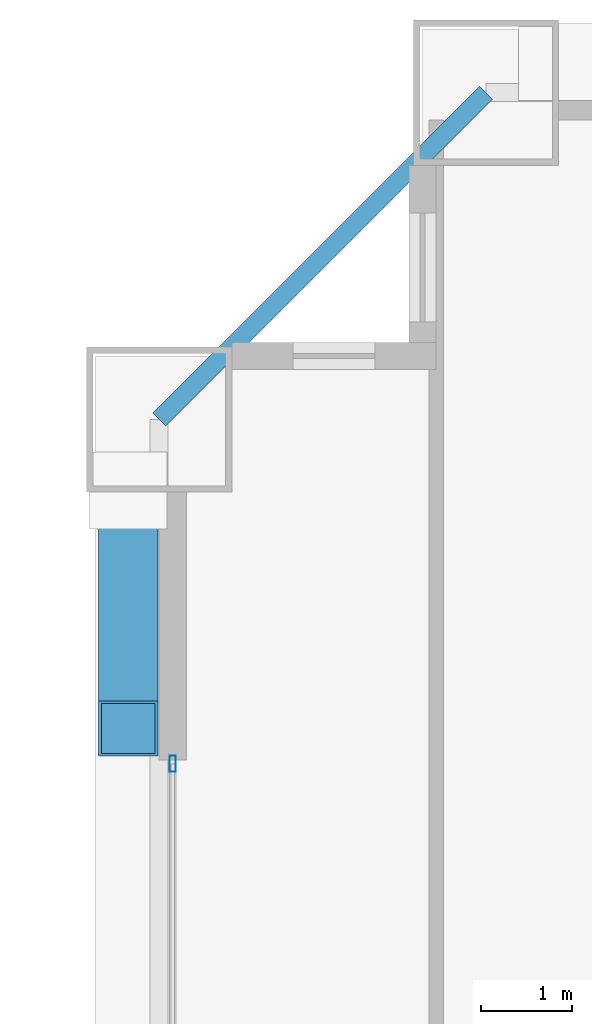
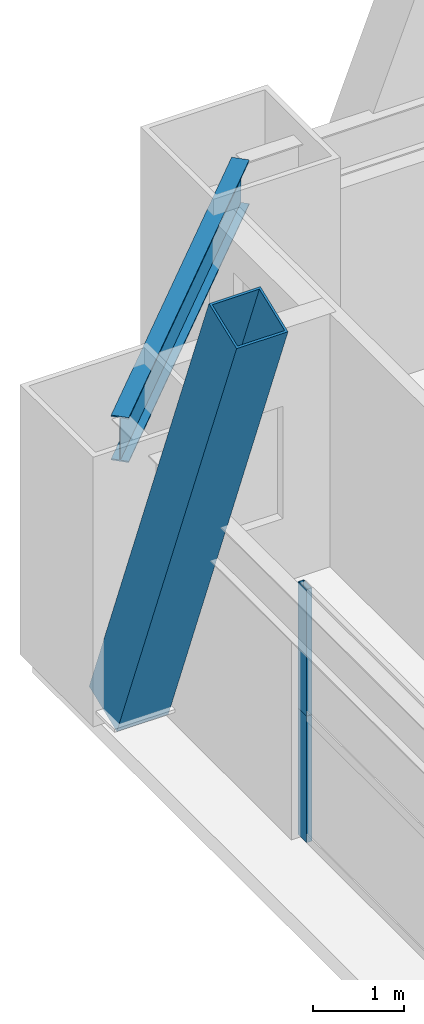
# One storey, part 23 of 41: 3 members, 1 beam, 1 element without a shape of its own.
"""IFC4 building model written with IfcOpenShell, lengths in metres."""

from ifc_helpers import new_model, si_unit, direction, frame, origin, origin_2d, place, context, subcontext, project, spatial, hollow_rectangle, i_section, extrude, source, transform, mapped, material, layer, layer_set, material_profile, profile_set, type_object, element, aggregate, save


model = new_model("IFC4")

# Units and contexts
model_context = context("Model", 3, precision=1e-05, world=origin(), true_north=direction((0.0, 1.0)))
body_context = subcontext(model_context, "Body", "Model", "MODEL_VIEW")
ifc_project = project(units=[si_unit("LENGTHUNIT", "METRE"), si_unit("AREAUNIT", "SQUARE_METRE"), si_unit("VOLUMEUNIT", "CUBIC_METRE"), si_unit("PLANEANGLEUNIT", "RADIAN"), si_unit("MASSUNIT", "GRAM", prefix="KILO"), si_unit("THERMODYNAMICTEMPERATUREUNIT", "KELVIN"), si_unit("POWERUNIT", "WATT")], contexts=[model_context])

# Site, building, storey
site_placement = place(None, origin())
site = spatial("IfcSite", under=ifc_project, at=site_placement, CompositionType="ELEMENT")
building_placement = place(site_placement, origin())
building = spatial("IfcBuilding", under=site, at=building_placement, Name="Yuzanri Waterfront Tower", CompositionType="ELEMENT")
storey_placement = place(building_placement, frame((0.0, 0.0, 115.39990234375)))
storey = spatial("IfcBuildingStorey", under=building, at=storey_placement, Name="L30", CompositionType="ELEMENT", Elevation=115.39990234375)

# Beam
ifc_material_1 = material(Name="Steel Q355B", Category="steel")
ifc_material_profile_1 = material_profile(ifc_material_1, i_section(OverallWidth=0.199951171875, OverallDepth=0.60009765625, WebThickness=0.010986328125, FlangeThickness=0.01708984375, at=origin_2d()), Name="HN 600x200x11x17")
ifc_profile_set_1 = profile_set([ifc_material_profile_1], Name="Steel Q355B")
beam_type = type_object("IfcBeamType", Name="Perimeter Spandrel Q355B HN 600x200", PredefinedType="SPANDREL", material=ifc_profile_set_1)
shared_shape_1 = source(origin(), body_context, "Body", "SweptSolid", [
    extrude(i_section(OverallWidth=0.199951171875, OverallDepth=0.60009765625, WebThickness=0.010986328125, FlangeThickness=0.01708984375, at=origin_2d()), origin(), (0.0, 0.0, 1.0), 5.091064453125),
])
beam_placement = place(storey_placement, frame((17.0, 49.39990234375, 3.080078125), z_axis=(-0.707130757816, -0.707082803744, 0.0), x_axis=(0.707082803744, -0.707130757816, 0.0)))
element("IfcBeam", 1, at=beam_placement, inside=storey, type_object=beam_type, Name="L30 Perimeter Spandrel N1-W3", PredefinedType="SPANDREL", context=body_context, shape_type="MappedRepresentation", body=[
    mapped(shared_shape_1, transform((0.0, 0.0, 0.0), scale=1.0)),
])

# Member
ifc_material_2 = material(Name="Steel Q420GJC", Category="steel")
ifc_material_profile_2 = material_profile(ifc_material_2, hollow_rectangle(XDim=0.64990234375, YDim=0.64990234375, WallThickness=0.028076171875, at=origin_2d()), Name="RHS 650x650x28")
ifc_profile_set_2 = profile_set([ifc_material_profile_2], Name="Steel Q420GJC")
member_type_1 = type_object("IfcMemberType", Name="Mega Brace Lower Q420GJC RHS 650x650x28", PredefinedType="BRACE", material=ifc_profile_set_2)
shared_shape_2 = source(origin(), body_context, "Body", "SweptSolid", [
    extrude(hollow_rectangle(XDim=0.64990234375, YDim=0.64990234375, WallThickness=0.028076171875, at=origin_2d()), origin(), (0.0, 0.0, 1.0), 7.194091796875),
])
member_1_placement = place(storey_placement, frame((13.06005859375, 45.02001953125, 0.18017578125), z_axis=(0.0, -0.36420612543, 0.931318365651), x_axis=(1.0, 0.0, 0.0)))
element("IfcMember", 2, at=member_1_placement, inside=storey, type_object=member_type_1, Name="L30-L31 Perimeter Mega-Brace W-R", PredefinedType="BRACE", context=body_context, shape_type="MappedRepresentation", body=[
    mapped(shared_shape_2, transform((0.0, 0.0, 0.0), scale=1.0)),
])

# Curtain wall, members
ifc_material_3 = material(Name="Anodized Architectural Bronze", Category="metal")
ifc_layer = layer(ifc_material_3, 0.159912109375)
ifc_layer_set = layer_set([ifc_layer], Name="Anodized Architectural Bronze")
curtain_wall_type = type_object("IfcCurtainWallType", Name="Anodized Bronze Hotel Upper-Tier Solar-Control Unitized Curtain Wall 7800", PredefinedType="NOTDEFINED", material=ifc_layer_set)
curtain_wall_placement = place(storey_placement, origin())
curtain_wall = element("IfcCurtainWall", 3, at=curtain_wall_placement, inside=storey, type_object=curtain_wall_type, Name="L30 Curtain Wall CW-L30-WR", PredefinedType="NOTDEFINED")
ifc_material_4 = material(Name="Anodized Architectural Bronze", Category="metal")
ifc_material_profile_3 = material_profile(ifc_material_4, hollow_rectangle(XDim=0.070068359375, YDim=0.179931640625, WallThickness=0.00390625, at=origin_2d()), Name="CWM 70x180")
ifc_profile_set_3 = profile_set([ifc_material_profile_3], Name="Anodized Architectural Bronze")
member_type_2 = type_object("IfcMemberType", Name="Anodized Bronze Standard Curtain-Wall Mullion 70x180", PredefinedType="MULLION", material=ifc_profile_set_3)
shared_shape_3 = source(origin(), body_context, "Body", "SweptSolid", [
    extrude(hollow_rectangle(XDim=0.070068359375, YDim=0.179931640625, WallThickness=0.00390625, at=origin_2d()), origin(), (0.0, 0.0, 1.0), 1.68798828125),
])
member_2_placement = place(storey_placement, frame((13.550048828125, 42.010009765625, 0.0), z_axis=(0.0, 0.0, 1.0), x_axis=(1.0, 0.0, 0.0)))
member_2 = element("IfcMember", 4, at=member_2_placement, type_object=member_type_2, Name="CW-L30-WR Lower Mullion 02", PredefinedType="MULLION", context=body_context, shape_type="MappedRepresentation", body=[
    mapped(shared_shape_3, transform((0.0, 0.0, 0.0), scale=1.0)),
])
member_3_placement = place(storey_placement, frame((13.550048828125, 42.010009765625, 1.692138671875), z_axis=(0.0, 0.0, 1.0), x_axis=(1.0, 0.0, 0.0)))
member_3 = element("IfcMember", 5, at=member_3_placement, type_object=member_type_2, Name="CW-L30-WR Upper Mullion 02", PredefinedType="MULLION", context=body_context, shape_type="MappedRepresentation", body=[
    mapped(shared_shape_3, transform((0.0, 0.0, 0.0), scale=1.0)),
])
aggregate(curtain_wall, [member_2, member_3])

save(model, "model.ifc")
